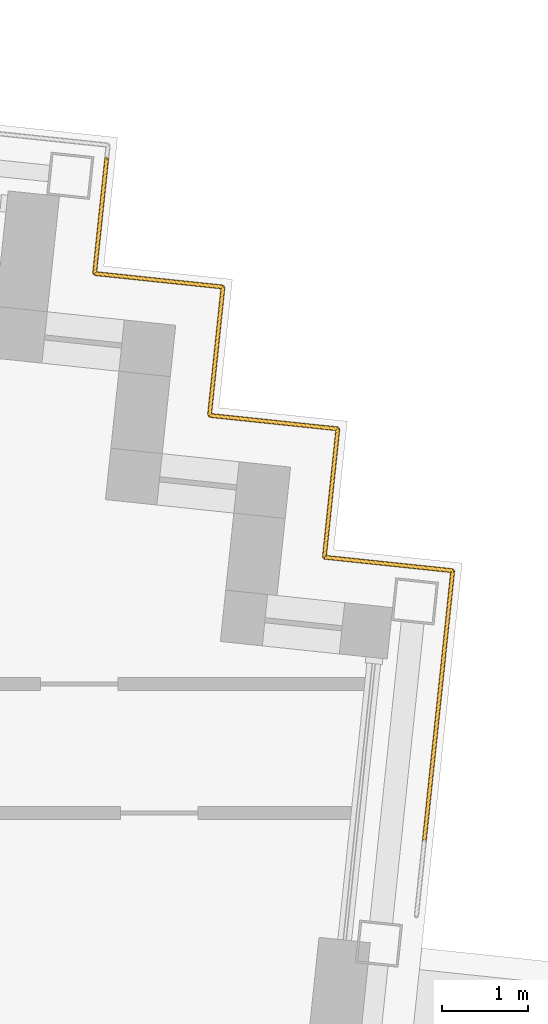
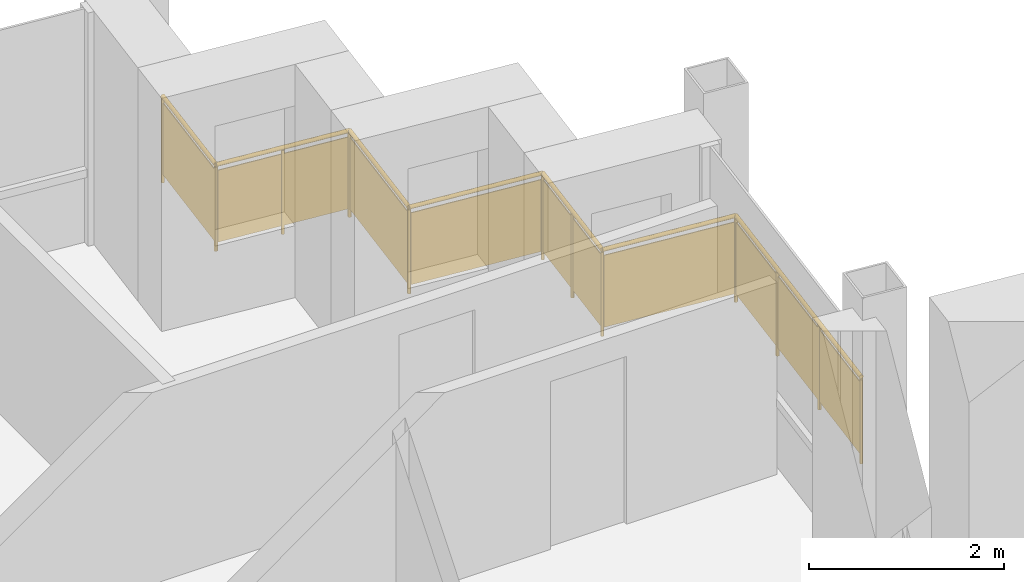
# One storey, part 16 of 16: 1 railing.
"""IFC4 building model written with IfcOpenShell, lengths in metres."""

from ifc_helpers import new_model, si_unit, direction, frame, origin, origin_2d, place, context, subcontext, project, spatial, rectangle, circle, extrude, material, type_object, element, save


model = new_model("IFC4")

# Units and contexts
model_context = context("Model", 3, precision=1e-05, world=origin(), true_north=direction((0.0, 1.0)))
body_context = subcontext(model_context, "Body", "Model", "MODEL_VIEW")
ifc_project = project(units=[si_unit("LENGTHUNIT", "METRE"), si_unit("AREAUNIT", "SQUARE_METRE"), si_unit("VOLUMEUNIT", "CUBIC_METRE"), si_unit("PLANEANGLEUNIT", "RADIAN"), si_unit("MASSUNIT", "GRAM", prefix="KILO")], contexts=[model_context])

# Site, building, storey
site_placement = place(None, origin())
site = spatial("IfcSite", under=ifc_project, at=site_placement, CompositionType="ELEMENT")
building_placement = place(site_placement, origin())
building = spatial("IfcBuilding", under=site, at=building_placement, Name="Vidyagriha Tower", CompositionType="ELEMENT")
storey_placement = place(building_placement, frame((0.0, 0.0, 253.10009765625)))
storey = spatial("IfcBuildingStorey", under=building, at=storey_placement, Name="L65", CompositionType="ELEMENT", Elevation=253.10009765625)

# Railing
ifc_material = material(Name="Steel ASTM A500 Grade C black painted", Category="steel")
railing_type = type_object("IfcRailingType", Name="Gallery guard 1100", PredefinedType="GUARDRAIL", material=ifc_material)
railing_placement = place(storey_placement, frame((29.24462890625, 18.54541015625, 0.0)))
element("IfcRailing", 1, at=railing_placement, inside=storey, type_object=railing_type, Name="Gallery guard L65 9", PredefinedType="GUARDRAIL", context=body_context, shape_type="SweptSolid", body=[
    extrude(circle(Radius=0.02490234375, at=origin_2d()), frame((0.0, 0.0, 1.0751953125), z_axis=(-0.104589933737, -0.994515432641, 0.0), x_axis=(0.994515432641, -0.104589933737, 0.0)), (0.0, 0.0, 1.0), 1.33984375),
    extrude(circle(Radius=0.02490234375, at=origin_2d()), frame((-0.14013671875, -1.33251953125, 1.0751953125), z_axis=(0.994509910675, -0.104642427191, 0.0), x_axis=(0.104642427191, 0.994509910675, 0.0)), (0.0, 0.0, 1.0), 1.500244140625),
    extrude(circle(Radius=0.02490234375, at=origin_2d()), frame((1.351806640625, -1.489501953125, 1.0751953125), z_axis=(-0.104498377516, -0.994525057048, 0.0), x_axis=(0.994525057048, -0.104498377516, 0.0)), (0.0, 0.0, 1.0), 1.5),
    extrude(circle(Radius=0.02490234375, at=origin_2d()), frame((1.195068359375, -2.981201171875, 1.0751953125), z_axis=(0.994525057048, -0.104498377516, 0.0), x_axis=(0.104498377516, 0.994525057048, 0.0)), (0.0, 0.0, 1.0), 1.5),
    extrude(circle(Radius=0.02490234375, at=origin_2d()), frame((2.686767578125, -3.137939453125, 1.0751953125), z_axis=(-0.104481464157, -0.994526834051, 0.0), x_axis=(0.994526834051, -0.104481464157, 0.0)), (0.0, 0.0, 1.0), 1.500244140625),
    extrude(circle(Radius=0.02490234375, at=origin_2d()), frame((2.530029296875, -4.6298828125, 1.0751953125), z_axis=(0.994525057048, -0.104498377516, 0.0), x_axis=(0.104498377516, 0.994525057048, 0.0)), (0.0, 0.0, 1.0), 1.5),
    extrude(circle(Radius=0.02490234375, at=origin_2d()), frame((4.021728515625, -4.78662109375, 1.0751953125), z_axis=(-0.104527942092, -0.994521950146, 0.0), x_axis=(0.994521950146, -0.104527942092, 0.0)), (0.0, 0.0, 1.0), 3.16015625),
    extrude(circle(Radius=0.02001953125, at=origin_2d()), origin(), (0.0, 0.0, 1.0), 1.050048828125),
    extrude(circle(Radius=0.02001953125, at=origin_2d()), frame((-0.14013671875, -1.33251953125, 0.0)), (0.0, 0.0, 1.0), 1.050048828125),
    extrude(circle(Radius=0.02001953125, at=origin_2d()), frame((0.60595703125, -1.4111328125, 0.0)), (0.0, 0.0, 1.0), 1.050048828125),
    extrude(circle(Radius=0.02001953125, at=origin_2d()), frame((1.351806640625, -1.489501953125, 0.0)), (0.0, 0.0, 1.0), 1.050048828125),
    extrude(circle(Radius=0.02001953125, at=origin_2d()), frame((1.195068359375, -2.981201171875, 0.0)), (0.0, 0.0, 1.0), 1.050048828125),
    extrude(circle(Radius=0.02001953125, at=origin_2d()), frame((2.686767578125, -3.137939453125, 0.0)), (0.0, 0.0, 1.0), 1.050048828125),
    extrude(circle(Radius=0.02001953125, at=origin_2d()), frame((2.6083984375, -3.8837890625, 0.0)), (0.0, 0.0, 1.0), 1.050048828125),
    extrude(circle(Radius=0.02001953125, at=origin_2d()), frame((2.530029296875, -4.6298828125, 0.0)), (0.0, 0.0, 1.0), 1.050048828125),
    extrude(circle(Radius=0.02001953125, at=origin_2d()), frame((4.021728515625, -4.78662109375, 0.0)), (0.0, 0.0, 1.0), 1.050048828125),
    extrude(circle(Radius=0.02001953125, at=origin_2d()), frame((3.91162109375, -5.834228515625, 0.0)), (0.0, 0.0, 1.0), 1.050048828125),
    extrude(circle(Radius=0.02001953125, at=origin_2d()), frame((3.801513671875, -6.8818359375, 0.0)), (0.0, 0.0, 1.0), 1.050048828125),
    extrude(circle(Radius=0.02001953125, at=origin_2d()), frame((3.69140625, -7.929443359375, 0.0)), (0.0, 0.0, 1.0), 1.050048828125),
    extrude(rectangle(XDim=0.010009765625, YDim=0.900146484375, at=origin_2d()), frame((0.0, 0.0, 0.550048828125), z_axis=(-0.104589933737, -0.994515432641, 0.0), x_axis=(0.994515432641, -0.104589933737, 0.0)), (0.0, 0.0, 1.0), 1.33984375),
    extrude(rectangle(XDim=0.010009765625, YDim=0.900146484375, at=origin_2d()), frame((-0.14013671875, -1.33251953125, 0.550048828125), z_axis=(0.994509910675, -0.104642427191, 0.0), x_axis=(0.104642427191, 0.994509910675, 0.0)), (0.0, 0.0, 1.0), 1.500244140625),
    extrude(rectangle(XDim=0.010009765625, YDim=0.900146484375, at=origin_2d()), frame((1.351806640625, -1.489501953125, 0.550048828125), z_axis=(-0.104498377516, -0.994525057048, 0.0), x_axis=(0.994525057048, -0.104498377516, 0.0)), (0.0, 0.0, 1.0), 1.5),
    extrude(rectangle(XDim=0.010009765625, YDim=0.900146484375, at=origin_2d()), frame((1.195068359375, -2.981201171875, 0.550048828125), z_axis=(0.994525057048, -0.104498377516, 0.0), x_axis=(0.104498377516, 0.994525057048, 0.0)), (0.0, 0.0, 1.0), 1.5),
    extrude(rectangle(XDim=0.010009765625, YDim=0.900146484375, at=origin_2d()), frame((2.686767578125, -3.137939453125, 0.550048828125), z_axis=(-0.104481464157, -0.994526834051, 0.0), x_axis=(0.994526834051, -0.104481464157, 0.0)), (0.0, 0.0, 1.0), 1.500244140625),
    extrude(rectangle(XDim=0.010009765625, YDim=0.900146484375, at=origin_2d()), frame((2.530029296875, -4.6298828125, 0.550048828125), z_axis=(0.994525057048, -0.104498377516, 0.0), x_axis=(0.104498377516, 0.994525057048, 0.0)), (0.0, 0.0, 1.0), 1.5),
    extrude(rectangle(XDim=0.010009765625, YDim=0.900146484375, at=origin_2d()), frame((4.021728515625, -4.78662109375, 0.550048828125), z_axis=(-0.104527942092, -0.994521950146, 0.0), x_axis=(0.994521950146, -0.104527942092, 0.0)), (0.0, 0.0, 1.0), 3.16015625),
])

save(model, "model.ifc")
